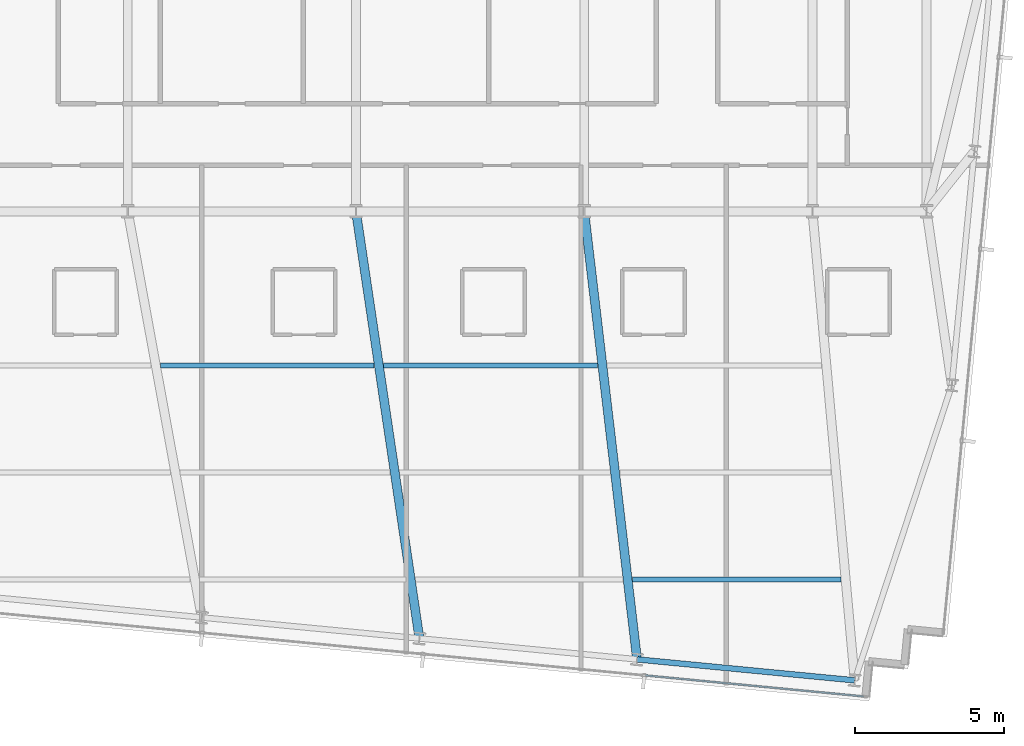
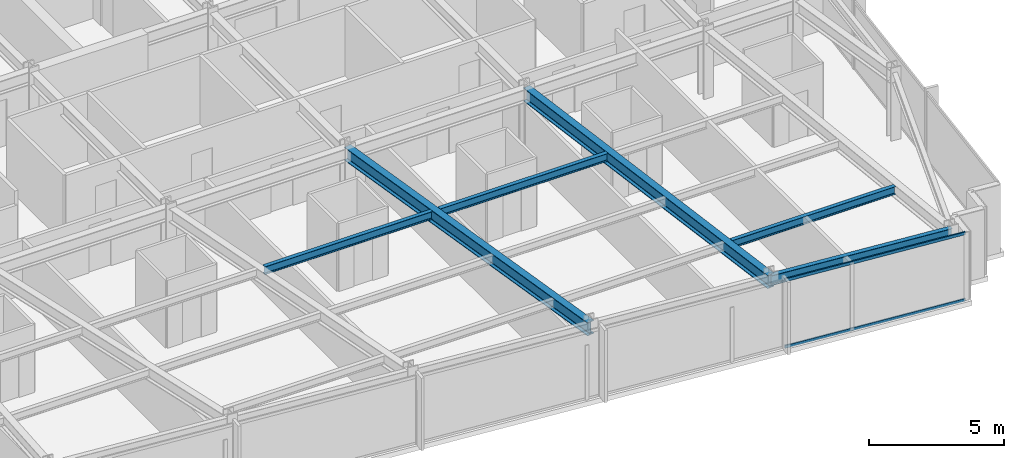
# One storey, part 13 of 37: 6 beams, 2 members, 1 element without a shape of its own.
"""IFC4 building model written with IfcOpenShell, lengths in metres."""

from ifc_helpers import new_model, si_unit, direction, frame, origin, origin_2d, place, context, subcontext, project, spatial, hollow_rectangle, i_section, extrude, material, material_profile, profile_set, type_object, element, aggregate, save


model = new_model("IFC4")

# Units and contexts
model_context = context("Model", 3, precision=1e-05, world=origin(), true_north=direction((0.0, 1.0)))
body_context = subcontext(model_context, "Body", "Model", "MODEL_VIEW")
ifc_project = project(units=[si_unit("LENGTHUNIT", "METRE"), si_unit("AREAUNIT", "SQUARE_METRE"), si_unit("VOLUMEUNIT", "CUBIC_METRE"), si_unit("PLANEANGLEUNIT", "RADIAN"), si_unit("MASSUNIT", "GRAM", prefix="KILO")], contexts=[model_context])

# Site, building, storey
site_placement = place(None, origin())
site = spatial("IfcSite", under=ifc_project, at=site_placement, CompositionType="ELEMENT")
building_placement = place(site_placement, origin())
building = spatial("IfcBuilding", under=site, at=building_placement, Name="Yelkora Congress Tower", CompositionType="ELEMENT")
storey_placement = place(building_placement, frame((0.0, 0.0, 175.39990234375)))
storey = spatial("IfcBuildingStorey", under=building, at=storey_placement, Name="L48", CompositionType="ELEMENT", Elevation=175.39990234375)

# Beams
ifc_material_1 = material(Name="Steel S355J2", Category="steel")
ifc_material_profile_1 = material_profile(ifc_material_1, i_section(OverallWidth=0.300048828125, OverallDepth=0.60009765625, WebThickness=0.015380859375, FlangeThickness=0.030029296875, FilletRadius=0.027099609375, at=origin_2d()), Name="HEB 600")
ifc_profile_set_1 = profile_set([ifc_material_profile_1], Name="Steel S355J2")
beam_type_1 = type_object("IfcBeamType", Name="BM-GIRD-HEB600", PredefinedType="BEAM", material=ifc_profile_set_1)
beam_1_placement = place(storey_placement, frame((40.53564453125, 10.83154296875, 2.780029296875), z_axis=(-0.147026183693, 0.989132600468, 0.0), x_axis=(-0.989132600468, -0.147026183693, 0.0)))
element("IfcBeam", 1, at=beam_1_placement, inside=storey, type_object=beam_type_1, Name="L48 Primary Frame Girder S06", PredefinedType="BEAM", context=body_context, shape_type="SweptSolid", body=[
    extrude(i_section(OverallWidth=0.300048828125, OverallDepth=0.60009765625, WebThickness=0.015380859375, FlangeThickness=0.030029296875, FilletRadius=0.027099609375, at=origin_2d()), origin(), (0.0, 0.0, 1.0), 14.5263671875),
])
beam_2_placement = place(storey_placement, frame((47.85888671875, 10.12646484375, 2.780029296875), z_axis=(-0.117195880411, 0.993108818617, 0.0), x_axis=(-0.993108818617, -0.117195880411, 0.0)))
element("IfcBeam", 2, at=beam_2_placement, inside=storey, type_object=beam_type_1, Name="L48 Primary Frame Girder S07", PredefinedType="BEAM", context=body_context, shape_type="SweptSolid", body=[
    extrude(i_section(OverallWidth=0.300048828125, OverallDepth=0.60009765625, WebThickness=0.015380859375, FlangeThickness=0.030029296875, FilletRadius=0.027099609375, at=origin_2d()), origin(), (0.0, 0.0, 1.0), 15.177978515625),
])
ifc_material_profile_2 = material_profile(ifc_material_1, i_section(OverallWidth=0.169921875, OverallDepth=0.360107421875, WebThickness=0.008056640625, FlangeThickness=0.0126953125, FilletRadius=0.01806640625, at=origin_2d()), Name="IPE 360")
ifc_profile_set_2 = profile_set([ifc_material_profile_2], Name="Steel S355J2")
beam_type_2 = type_object("IfcBeamType", Name="BM-JOIST-IPE360", PredefinedType="JOIST", material=ifc_profile_set_2)
beam_3_placement = place(storey_placement, frame((47.700927734375, 12.8212890625, 2.900146484375), z_axis=(1.0, 0.0, 0.0), x_axis=(0.0, 1.0, 0.0)))
element("IfcBeam", 3, at=beam_3_placement, inside=storey, type_object=beam_type_2, Name="L48 Composite Floor Joist 4", PredefinedType="JOIST", context=body_context, shape_type="SweptSolid", body=[
    extrude(i_section(OverallWidth=0.169921875, OverallDepth=0.360107421875, WebThickness=0.008056640625, FlangeThickness=0.0126953125, FilletRadius=0.01806640625, at=origin_2d()), origin(), (0.0, 0.0, 1.0), 7.014892578125),
])
beam_4_placement = place(storey_placement, frame((31.82470703125, 20.021240234375, 2.900146484375), z_axis=(1.0, 0.0, 0.0), x_axis=(0.0, 1.0, 0.0)))
element("IfcBeam", 4, at=beam_4_placement, inside=storey, type_object=beam_type_2, Name="L48 Composite Floor Joist 16", PredefinedType="JOIST", context=body_context, shape_type="SweptSolid", body=[
    extrude(i_section(OverallWidth=0.169921875, OverallDepth=0.360107421875, WebThickness=0.008056640625, FlangeThickness=0.0126953125, FilletRadius=0.01806640625, at=origin_2d()), origin(), (0.0, 0.0, 1.0), 7.18505859375),
])
beam_5_placement = place(storey_placement, frame((39.32958984375, 20.021240234375, 2.900146484375), z_axis=(1.0, 0.0, 0.0), x_axis=(0.0, 1.0, 0.0)))
element("IfcBeam", 5, at=beam_5_placement, inside=storey, type_object=beam_type_2, Name="L48 Composite Floor Joist 17", PredefinedType="JOIST", context=body_context, shape_type="SweptSolid", body=[
    extrude(i_section(OverallWidth=0.169921875, OverallDepth=0.360107421875, WebThickness=0.008056640625, FlangeThickness=0.0126953125, FilletRadius=0.01806640625, at=origin_2d()), origin(), (0.0, 0.0, 1.0), 7.20166015625),
])
ifc_material_profile_3 = material_profile(ifc_material_1, i_section(OverallWidth=0.18994140625, OverallDepth=0.449951171875, WebThickness=0.009521484375, FlangeThickness=0.0146484375, FilletRadius=0.02099609375, at=origin_2d()), Name="IPE 450")
ifc_profile_set_3 = profile_set([ifc_material_profile_3], Name="Steel S355J2")
beam_type_3 = type_object("IfcBeamType", Name="BM-SPAN-IPE450", PredefinedType="SPANDREL", material=ifc_profile_set_3)
beam_6_placement = place(storey_placement, frame((47.85888671875, 10.12646484375, 2.85498046875), z_axis=(0.995393938538, -0.095869218844, 0.0), x_axis=(0.095869218844, 0.995393938538, 0.0)))
element("IfcBeam", 6, at=beam_6_placement, inside=storey, type_object=beam_type_3, Name="L48 Perimeter Beam 8", PredefinedType="SPANDREL", context=body_context, shape_type="SweptSolid", body=[
    extrude(i_section(OverallWidth=0.18994140625, OverallDepth=0.449951171875, WebThickness=0.009521484375, FlangeThickness=0.0146484375, FilletRadius=0.02099609375, at=origin_2d()), origin(), (0.0, 0.0, 1.0), 7.357177734375),
])

# Curtain wall, members
ifc_material_2 = material(Name="Anodised aluminium and insulated glass", Category="aluminium")
curtain_wall_type = type_object("IfcCurtainWallType", Name="CW-SYS-B3", PredefinedType="NOTDEFINED", material=ifc_material_2)
curtain_wall_placement = place(storey_placement, origin())
curtain_wall = element("IfcCurtainWall", 7, at=curtain_wall_placement, inside=storey, type_object=curtain_wall_type, Name="L48 Unitised Curtain Wall 20", PredefinedType="NOTDEFINED")
ifc_material_3 = material(Name="Anodised aluminium 6063-T6", Category="aluminium")
ifc_material_profile_4 = material_profile(ifc_material_3, hollow_rectangle(XDim=0.06005859375, YDim=0.1298828125, WallThickness=0.00390625, at=origin_2d()), Name="ALU 60x130x4")
ifc_profile_set_4 = profile_set([ifc_material_profile_4], Name="Anodised aluminium 6063-T6")
member_type = type_object("IfcMemberType", Name="MEM-TR-B3", PredefinedType="USERDEFINED", material=ifc_profile_set_4)
member_1_placement = place(storey_placement, frame((55.4716796875, 8.881103515625, 0.030029296875), z_axis=(-0.995396212442, 0.095845606344, 0.0), x_axis=(-0.095845606344, -0.995396212442, 0.0)))
member_1 = element("IfcMember", 8, at=member_1_placement, type_object=member_type, Name="CW-B3 transom 1.1", ObjectType="TRANSOM", PredefinedType="USERDEFINED", context=body_context, shape_type="SweptSolid", body=[
    extrude(hollow_rectangle(XDim=0.06005859375, YDim=0.1298828125, WallThickness=0.00390625, at=origin_2d()), origin(), (0.0, 0.0, 1.0), 7.369140625),
])
member_2_placement = place(storey_placement, frame((55.4716796875, 8.881103515625, 3.050048828125), z_axis=(-0.995396212442, 0.095845606344, 0.0), x_axis=(-0.095845606344, -0.995396212442, 0.0)))
member_2 = element("IfcMember", 9, at=member_2_placement, type_object=member_type, Name="CW-B3 transom 1.2", ObjectType="TRANSOM", PredefinedType="USERDEFINED", context=body_context, shape_type="SweptSolid", body=[
    extrude(hollow_rectangle(XDim=0.06005859375, YDim=0.1298828125, WallThickness=0.00390625, at=origin_2d()), origin(), (0.0, 0.0, 1.0), 7.369140625),
])
aggregate(curtain_wall, [member_1, member_2])

save(model, "model.ifc")
